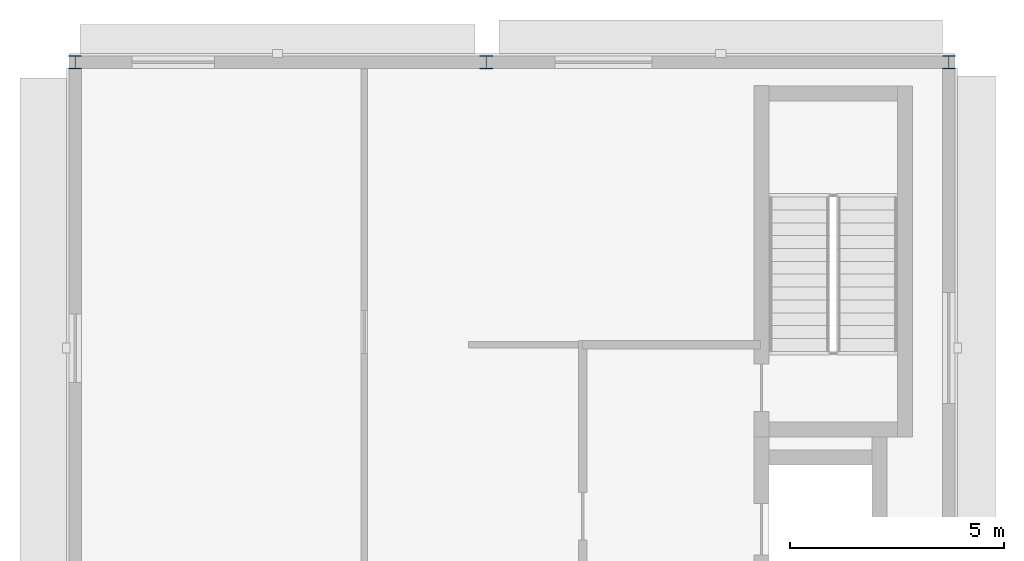
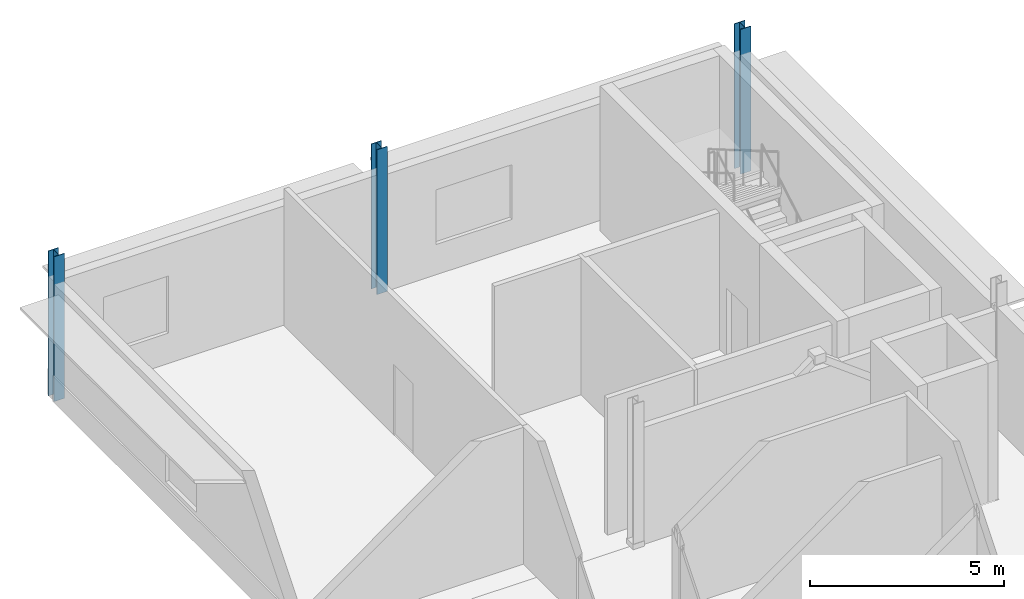
# One storey, part 2 of 10: 3 columns.
"""IFC4 building model written with IfcOpenShell, lengths in metres."""

from ifc_helpers import new_model, si_unit, direction, frame, origin, origin_2d, place, context, subcontext, project, spatial, i_section, extrude, material, material_profile, profile_set, type_object, element, save


model = new_model("IFC4")

# Units and contexts
model_context = context("Model", 3, precision=1e-05, world=origin(), true_north=direction((0.0, 1.0)))
body_context = subcontext(model_context, "Body", "Model", "MODEL_VIEW")
ifc_project = project(units=[si_unit("LENGTHUNIT", "METRE"), si_unit("AREAUNIT", "SQUARE_METRE"), si_unit("VOLUMEUNIT", "CUBIC_METRE"), si_unit("PLANEANGLEUNIT", "RADIAN"), si_unit("MASSUNIT", "GRAM", prefix="KILO")], contexts=[model_context])

# Site, building, storey
site_placement = place(None, origin())
site = spatial("IfcSite", under=ifc_project, at=site_placement, CompositionType="ELEMENT")
building_placement = place(site_placement, origin())
building = spatial("IfcBuilding", under=site, at=building_placement, Name="Almandine Court Research Institute", CompositionType="ELEMENT")
storey_placement = place(building_placement, frame((0.0, 0.0, 41.64990234375)))
storey = spatial("IfcBuildingStorey", under=building, at=storey_placement, Name="L09", CompositionType="ELEMENT", Elevation=41.64990234375)

# Columns
ifc_material = material(Name="Steel ASTM A992 Grade 50", Category="steel")
ifc_material_profile_1 = material_profile(ifc_material, i_section(OverallWidth=0.30810546875, OverallDepth=0.318115234375, WebThickness=0.012939453125, FlangeThickness=0.02099609375, at=origin_2d()), Name="W310x129")
ifc_profile_set_1 = profile_set([ifc_material_profile_1], Name="Steel ASTM A992 Grade 50")
column_type_1 = type_object("IfcColumnType", Name="Col-C-W07", PredefinedType="COLUMN", material=ifc_profile_set_1)
for number, where, z_axis, x_axis, name in (
    (1, (153.60009765625, 57.60009765625, 0.0), (0.0, 0.0, 1.0), (1.0, 0.0, 0.0), "L09 V4 Column V4-X2Y6"),
    (2, (163.199951171875, 57.60009765625, 0.0), (0.0, 0.0, 1.0), (1.0, 0.0, 0.0), "L09 V4 Column V4-X3Y6"),
):
    element("IfcColumn", number, at=place(storey_placement, frame(where, z_axis=z_axis, x_axis=x_axis)), inside=storey, type_object=column_type_1, Name=name, PredefinedType="COLUMN", context=body_context, shape_type="SweptSolid", body=[
        extrude(i_section(OverallWidth=0.30810546875, OverallDepth=0.318115234375, WebThickness=0.012939453125, FlangeThickness=0.02099609375, at=origin_2d()), origin(), (0.0, 0.0, 1.0), 4.550048828125),
    ])
ifc_material_profile_2 = material_profile(ifc_material, i_section(OverallWidth=0.30810546875, OverallDepth=0.318115234375, WebThickness=0.012939453125, FlangeThickness=0.02099609375, at=origin_2d()), Name="W310x129")
ifc_profile_set_2 = profile_set([ifc_material_profile_2], Name="Steel ASTM A992 Grade 50")
column_type_2 = type_object("IfcColumnType", Name="Col-C-W07-E", PredefinedType="COLUMN", material=ifc_profile_set_2)
column_placement = place(storey_placement, frame((174.0, 57.60009765625, 0.0), z_axis=(0.0, 0.0, 1.0), x_axis=(1.0, 0.0, 0.0)))
element("IfcColumn", 3, at=column_placement, inside=storey, type_object=column_type_2, Name="L09 V4 Column V4-X4Y6", PredefinedType="COLUMN", context=body_context, shape_type="SweptSolid", body=[
    extrude(i_section(OverallWidth=0.30810546875, OverallDepth=0.318115234375, WebThickness=0.012939453125, FlangeThickness=0.02099609375, at=origin_2d()), origin(), (0.0, 0.0, 1.0), 4.550048828125),
])

save(model, "model.ifc")
